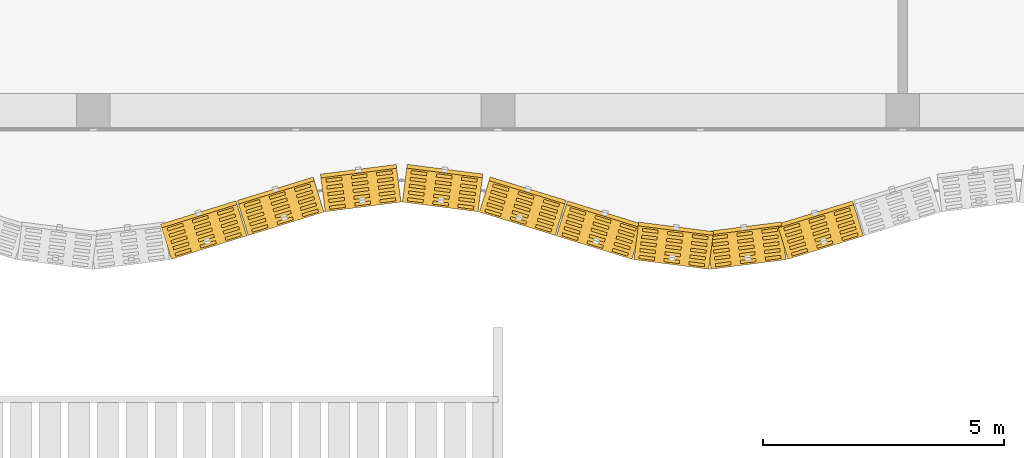
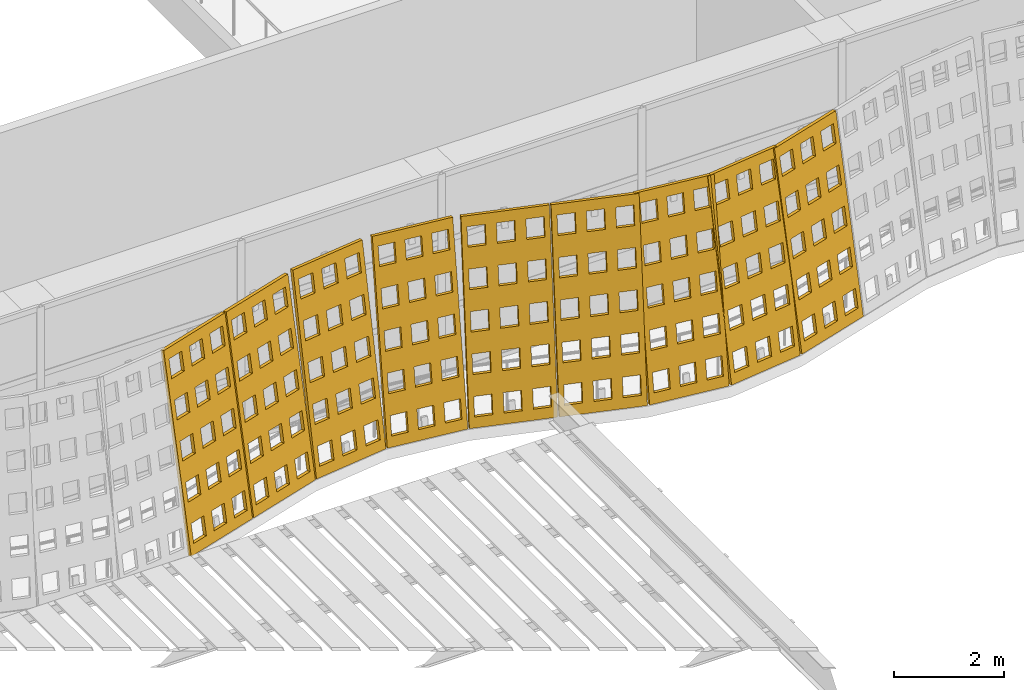
# One storey, part 144 of 162: 9 coverings.
"""IFC4 building model written with IfcOpenShell, lengths in metres."""

from ifc_helpers import new_model, si_unit, direction, frame, origin, place, context, subcontext, project, spatial, polyline, outline, extrude, material, layer, layer_set, type_object, element, save


model = new_model("IFC4")

# Units and contexts
model_context = context("Model", 3, precision=1e-05, world=origin(), true_north=direction((0.0, 1.0)))
body_context = subcontext(model_context, "Body", "Model", "MODEL_VIEW")
ifc_project = project(units=[si_unit("LENGTHUNIT", "METRE"), si_unit("AREAUNIT", "SQUARE_METRE"), si_unit("VOLUMEUNIT", "CUBIC_METRE"), si_unit("PLANEANGLEUNIT", "RADIAN"), si_unit("MASSUNIT", "GRAM", prefix="KILO")], contexts=[model_context])

# Site, building, storey
site_placement = place(None, origin())
site = spatial("IfcSite", under=ifc_project, at=site_placement, CompositionType="ELEMENT")
building_placement = place(site_placement, origin())
building = spatial("IfcBuilding", under=site, at=building_placement, Name="Rain Tree Exposition and Congress Centre", CompositionType="ELEMENT")
storey_placement = place(building_placement, frame((0.0, 0.0, 6.0)))
storey = spatial("IfcBuildingStorey", under=building, at=storey_placement, Name="L01", CompositionType="ELEMENT", Elevation=6.0)

# Coverings
ifc_material = material(Name="Perforated terracotta", Category="masonry")
ifc_layer = layer(ifc_material, 0.080078125)
ifc_layer_set = layer_set([ifc_layer], Name="Perforated terracotta")
covering_type = type_object("IfcCoveringType", Name="Terracotta screen 80", PredefinedType="CLADDING", material=ifc_layer_set)
covering_1_placement = place(storey_placement, frame((135.99951171875, 72.506591796875, 0.0126953125), z_axis=(-0.292932171154, 0.942875425902, -0.158671592708), x_axis=(-0.954973588716, -0.296690823679, 0.0)))
element("IfcCovering", 1, at=covering_1_placement, inside=storey, type_object=covering_type, Name="concourse/screen/L01/086", PredefinedType="CLADDING", context=body_context, shape_type="SweptSolid", body=[
    extrude(outline(polyline([(-1.659912109375, 0.0), (-1.659912109375, 4.29150390625), (-0.02197265625, 4.29150390625), (-0.02197265625, 0.0), (-1.659912109375, 0.0)]), holes=[polyline([(-0.125732421875, 0.221435546875), (-0.125732421875, 0.63671875), (-0.464111328125, 0.63671875), (-0.464111328125, 0.221435546875), (-0.125732421875, 0.221435546875)]), polyline([(-0.125732421875, 1.079833984375), (-0.125732421875, 1.4951171875), (-0.464111328125, 1.4951171875), (-0.464111328125, 1.079833984375), (-0.125732421875, 1.079833984375)]), polyline([(-0.125732421875, 1.93798828125), (-0.125732421875, 2.353271484375), (-0.464111328125, 2.353271484375), (-0.464111328125, 1.93798828125), (-0.125732421875, 1.93798828125)]), polyline([(-0.125732421875, 2.79638671875), (-0.125732421875, 3.211669921875), (-0.464111328125, 3.211669921875), (-0.464111328125, 2.79638671875), (-0.125732421875, 2.79638671875)]), polyline([(-0.125732421875, 3.654541015625), (-0.125732421875, 4.06982421875), (-0.464111328125, 4.06982421875), (-0.464111328125, 3.654541015625), (-0.125732421875, 3.654541015625)]), polyline([(-0.671630859375, 0.221435546875), (-0.671630859375, 0.63671875), (-1.010009765625, 0.63671875), (-1.010009765625, 0.221435546875), (-0.671630859375, 0.221435546875)]), polyline([(-0.671630859375, 1.079833984375), (-0.671630859375, 1.4951171875), (-1.010009765625, 1.4951171875), (-1.010009765625, 1.079833984375), (-0.671630859375, 1.079833984375)]), polyline([(-0.671630859375, 1.93798828125), (-0.671630859375, 2.353271484375), (-1.010009765625, 2.353271484375), (-1.010009765625, 1.93798828125), (-0.671630859375, 1.93798828125)]), polyline([(-0.671630859375, 2.79638671875), (-0.671630859375, 3.211669921875), (-1.010009765625, 3.211669921875), (-1.010009765625, 2.79638671875), (-0.671630859375, 2.79638671875)]), polyline([(-0.671630859375, 3.654541015625), (-0.671630859375, 4.06982421875), (-1.010009765625, 4.06982421875), (-1.010009765625, 3.654541015625), (-0.671630859375, 3.654541015625)]), polyline([(-1.217529296875, 0.221435546875), (-1.217529296875, 0.63671875), (-1.55615234375, 0.63671875), (-1.55615234375, 0.221435546875), (-1.217529296875, 0.221435546875)]), polyline([(-1.217529296875, 1.079833984375), (-1.217529296875, 1.4951171875), (-1.55615234375, 1.4951171875), (-1.55615234375, 1.079833984375), (-1.217529296875, 1.079833984375)]), polyline([(-1.217529296875, 1.93798828125), (-1.217529296875, 2.353271484375), (-1.55615234375, 2.353271484375), (-1.55615234375, 1.93798828125), (-1.217529296875, 1.93798828125)]), polyline([(-1.217529296875, 2.79638671875), (-1.217529296875, 3.211669921875), (-1.55615234375, 3.211669921875), (-1.55615234375, 2.79638671875), (-1.217529296875, 2.79638671875)]), polyline([(-1.217529296875, 3.654541015625), (-1.217529296875, 4.06982421875), (-1.55615234375, 4.06982421875), (-1.55615234375, 3.654541015625), (-1.217529296875, 3.654541015625)])]), origin(), (0.0, 0.0, 1.0), 0.080078125),
])
covering_2_placement = place(storey_placement, frame((137.599365234375, 73.001708984375, 0.0126953125), z_axis=(-0.290138898064, 0.943714942124, -0.158812870519), x_axis=(-0.955845867297, -0.293868470528, 0.0)))
element("IfcCovering", 2, at=covering_2_placement, inside=storey, type_object=covering_type, Name="concourse/screen/L01/087", PredefinedType="CLADDING", context=body_context, shape_type="SweptSolid", body=[
    extrude(outline(polyline([(-1.659912109375, 0.0), (-1.659912109375, 4.29150390625), (-0.014892578125, 4.29150390625), (-0.014892578125, 0.0), (-1.659912109375, 0.0)]), holes=[polyline([(-0.119140625, 0.221435546875), (-0.119140625, 0.63671875), (-0.458984375, 0.63671875), (-0.458984375, 0.221435546875), (-0.119140625, 0.221435546875)]), polyline([(-0.119140625, 1.079833984375), (-0.119140625, 1.4951171875), (-0.458984375, 1.4951171875), (-0.458984375, 1.079833984375), (-0.119140625, 1.079833984375)]), polyline([(-0.119140625, 1.93798828125), (-0.119140625, 2.353271484375), (-0.458984375, 2.353271484375), (-0.458984375, 1.93798828125), (-0.119140625, 1.93798828125)]), polyline([(-0.119140625, 2.79638671875), (-0.119140625, 3.211669921875), (-0.458984375, 3.211669921875), (-0.458984375, 2.79638671875), (-0.119140625, 2.79638671875)]), polyline([(-0.119140625, 3.654541015625), (-0.119140625, 4.06982421875), (-0.458984375, 4.06982421875), (-0.458984375, 3.654541015625), (-0.119140625, 3.654541015625)]), polyline([(-0.66748046875, 0.221435546875), (-0.66748046875, 0.63671875), (-1.00732421875, 0.63671875), (-1.00732421875, 0.221435546875), (-0.66748046875, 0.221435546875)]), polyline([(-0.66748046875, 1.079833984375), (-0.66748046875, 1.4951171875), (-1.00732421875, 1.4951171875), (-1.00732421875, 1.079833984375), (-0.66748046875, 1.079833984375)]), polyline([(-0.66748046875, 1.93798828125), (-0.66748046875, 2.353271484375), (-1.00732421875, 2.353271484375), (-1.00732421875, 1.93798828125), (-0.66748046875, 1.93798828125)]), polyline([(-0.66748046875, 2.79638671875), (-0.66748046875, 3.211669921875), (-1.00732421875, 3.211669921875), (-1.00732421875, 2.79638671875), (-0.66748046875, 2.79638671875)]), polyline([(-0.66748046875, 3.654541015625), (-0.66748046875, 4.06982421875), (-1.00732421875, 4.06982421875), (-1.00732421875, 3.654541015625), (-0.66748046875, 3.654541015625)]), polyline([(-1.2158203125, 0.221435546875), (-1.2158203125, 0.63671875), (-1.5556640625, 0.63671875), (-1.5556640625, 0.221435546875), (-1.2158203125, 0.221435546875)]), polyline([(-1.2158203125, 1.079833984375), (-1.2158203125, 1.4951171875), (-1.5556640625, 1.4951171875), (-1.5556640625, 1.079833984375), (-1.2158203125, 1.079833984375)]), polyline([(-1.2158203125, 1.93798828125), (-1.2158203125, 2.353271484375), (-1.5556640625, 2.353271484375), (-1.5556640625, 1.93798828125), (-1.2158203125, 1.93798828125)]), polyline([(-1.2158203125, 2.79638671875), (-1.2158203125, 3.211669921875), (-1.5556640625, 3.211669921875), (-1.5556640625, 2.79638671875), (-1.2158203125, 2.79638671875)]), polyline([(-1.2158203125, 3.654541015625), (-1.2158203125, 4.06982421875), (-1.5556640625, 4.06982421875), (-1.5556640625, 3.654541015625), (-1.2158203125, 3.654541015625)])]), origin(), (0.0, 0.0, 1.0), 0.079833984375),
])
covering_3_placement = place(storey_placement, frame((139.19970703125, 73.496826171875, 0.01318359375), z_axis=(-0.124968640969, 0.978413018317, -0.164592844203), x_axis=(-0.991941518713, -0.126696580272, 0.0)))
element("IfcCovering", 3, at=covering_3_placement, inside=storey, type_object=covering_type, Name="concourse/screen/L01/088", PredefinedType="CLADDING", context=body_context, shape_type="SweptSolid", body=[
    extrude(outline(polyline([(-1.59814453125, 0.0), (-1.59814453125, 4.295166015625), (-0.014892578125, 4.295166015625), (-0.014892578125, 0.0), (-1.59814453125, 0.0)]), holes=[polyline([(-0.115234375, 0.2216796875), (-0.115234375, 0.63720703125), (-0.4423828125, 0.63720703125), (-0.4423828125, 0.2216796875), (-0.115234375, 0.2216796875)]), polyline([(-0.115234375, 1.080810546875), (-0.115234375, 1.496337890625), (-0.4423828125, 1.496337890625), (-0.4423828125, 1.080810546875), (-0.115234375, 1.080810546875)]), polyline([(-0.115234375, 1.939697265625), (-0.115234375, 2.35546875), (-0.4423828125, 2.35546875), (-0.4423828125, 1.939697265625), (-0.115234375, 1.939697265625)]), polyline([(-0.115234375, 2.798583984375), (-0.115234375, 3.21435546875), (-0.4423828125, 3.21435546875), (-0.4423828125, 2.798583984375), (-0.115234375, 2.798583984375)]), polyline([(-0.115234375, 3.65771484375), (-0.115234375, 4.073486328125), (-0.4423828125, 4.073486328125), (-0.4423828125, 3.65771484375), (-0.115234375, 3.65771484375)]), polyline([(-0.64306640625, 0.2216796875), (-0.64306640625, 0.63720703125), (-0.97021484375, 0.63720703125), (-0.97021484375, 0.2216796875), (-0.64306640625, 0.2216796875)]), polyline([(-0.64306640625, 1.080810546875), (-0.64306640625, 1.496337890625), (-0.97021484375, 1.496337890625), (-0.97021484375, 1.080810546875), (-0.64306640625, 1.080810546875)]), polyline([(-0.64306640625, 1.939697265625), (-0.64306640625, 2.35546875), (-0.97021484375, 2.35546875), (-0.97021484375, 1.939697265625), (-0.64306640625, 1.939697265625)]), polyline([(-0.64306640625, 2.798583984375), (-0.64306640625, 3.21435546875), (-0.97021484375, 3.21435546875), (-0.97021484375, 2.798583984375), (-0.64306640625, 2.798583984375)]), polyline([(-0.64306640625, 3.65771484375), (-0.64306640625, 4.073486328125), (-0.97021484375, 4.073486328125), (-0.97021484375, 3.65771484375), (-0.64306640625, 3.65771484375)]), polyline([(-1.170654296875, 0.2216796875), (-1.170654296875, 0.63720703125), (-1.497802734375, 0.63720703125), (-1.497802734375, 0.2216796875), (-1.170654296875, 0.2216796875)]), polyline([(-1.170654296875, 1.080810546875), (-1.170654296875, 1.496337890625), (-1.497802734375, 1.496337890625), (-1.497802734375, 1.080810546875), (-1.170654296875, 1.080810546875)]), polyline([(-1.170654296875, 1.939697265625), (-1.170654296875, 2.35546875), (-1.497802734375, 2.35546875), (-1.497802734375, 1.939697265625), (-1.170654296875, 1.939697265625)]), polyline([(-1.170654296875, 2.798583984375), (-1.170654296875, 3.21435546875), (-1.497802734375, 3.21435546875), (-1.497802734375, 2.798583984375), (-1.170654296875, 2.798583984375)]), polyline([(-1.170654296875, 3.65771484375), (-1.170654296875, 4.073486328125), (-1.497802734375, 4.073486328125), (-1.497802734375, 3.65771484375), (-1.170654296875, 3.65771484375)])]), origin(), (0.0, 0.0, 1.0), 0.080078125),
])
covering_4_placement = place(storey_placement, frame((140.80029296875, 73.701904296875, 0.01318359375), z_axis=(0.125342414455, 0.978282259159, -0.165085131233), x_axis=(-0.991891686382, 0.127086122318, 0.0)))
element("IfcCovering", 4, at=covering_4_placement, inside=storey, type_object=covering_type, Name="concourse/screen/L01/089", PredefinedType="CLADDING", context=body_context, shape_type="SweptSolid", body=[
    extrude(outline(polyline([(-1.59814453125, 0.0), (-1.59814453125, 4.295166015625), (-0.014892578125, 4.295166015625), (-0.014892578125, 0.0), (-1.59814453125, 0.0)]), holes=[polyline([(-0.115234375, 0.2216796875), (-0.115234375, 0.63720703125), (-0.4423828125, 0.63720703125), (-0.4423828125, 0.2216796875), (-0.115234375, 0.2216796875)]), polyline([(-0.115234375, 1.080810546875), (-0.115234375, 1.496337890625), (-0.4423828125, 1.496337890625), (-0.4423828125, 1.080810546875), (-0.115234375, 1.080810546875)]), polyline([(-0.115234375, 1.939697265625), (-0.115234375, 2.35546875), (-0.4423828125, 2.35546875), (-0.4423828125, 1.939697265625), (-0.115234375, 1.939697265625)]), polyline([(-0.115234375, 2.798583984375), (-0.115234375, 3.21435546875), (-0.4423828125, 3.21435546875), (-0.4423828125, 2.798583984375), (-0.115234375, 2.798583984375)]), polyline([(-0.115234375, 3.65771484375), (-0.115234375, 4.073486328125), (-0.4423828125, 4.073486328125), (-0.4423828125, 3.65771484375), (-0.115234375, 3.65771484375)]), polyline([(-0.64306640625, 0.2216796875), (-0.64306640625, 0.63720703125), (-0.97021484375, 0.63720703125), (-0.97021484375, 0.2216796875), (-0.64306640625, 0.2216796875)]), polyline([(-0.64306640625, 1.080810546875), (-0.64306640625, 1.496337890625), (-0.97021484375, 1.496337890625), (-0.97021484375, 1.080810546875), (-0.64306640625, 1.080810546875)]), polyline([(-0.64306640625, 1.939697265625), (-0.64306640625, 2.35546875), (-0.97021484375, 2.35546875), (-0.97021484375, 1.939697265625), (-0.64306640625, 1.939697265625)]), polyline([(-0.64306640625, 2.798583984375), (-0.64306640625, 3.21435546875), (-0.97021484375, 3.21435546875), (-0.97021484375, 2.798583984375), (-0.64306640625, 2.798583984375)]), polyline([(-0.64306640625, 3.65771484375), (-0.64306640625, 4.073486328125), (-0.97021484375, 4.073486328125), (-0.97021484375, 3.65771484375), (-0.64306640625, 3.65771484375)]), polyline([(-1.170654296875, 0.2216796875), (-1.170654296875, 0.63720703125), (-1.497802734375, 0.63720703125), (-1.497802734375, 0.2216796875), (-1.170654296875, 0.2216796875)]), polyline([(-1.170654296875, 1.080810546875), (-1.170654296875, 1.496337890625), (-1.497802734375, 1.496337890625), (-1.497802734375, 1.080810546875), (-1.170654296875, 1.080810546875)]), polyline([(-1.170654296875, 1.939697265625), (-1.170654296875, 2.35546875), (-1.497802734375, 2.35546875), (-1.497802734375, 1.939697265625), (-1.170654296875, 1.939697265625)]), polyline([(-1.170654296875, 2.798583984375), (-1.170654296875, 3.21435546875), (-1.497802734375, 3.21435546875), (-1.497802734375, 2.798583984375), (-1.170654296875, 2.798583984375)]), polyline([(-1.170654296875, 3.65771484375), (-1.170654296875, 4.073486328125), (-1.497802734375, 4.073486328125), (-1.497802734375, 3.65771484375), (-1.170654296875, 3.65771484375)])]), origin(), (0.0, 0.0, 1.0), 0.079833984375),
])
covering_5_placement = place(storey_placement, frame((142.400634765625, 73.49658203125, 0.0126953125), z_axis=(0.290138898064, 0.943714942124, -0.158812870519), x_axis=(-0.955845867297, 0.293868470528, 0.0)))
element("IfcCovering", 5, at=covering_5_placement, inside=storey, type_object=covering_type, Name="concourse/screen/L01/090", PredefinedType="CLADDING", context=body_context, shape_type="SweptSolid", body=[
    extrude(outline(polyline([(-1.659912109375, 0.0), (-1.659912109375, 4.29150390625), (-0.014892578125, 4.29150390625), (-0.014892578125, 0.0), (-1.659912109375, 0.0)]), holes=[polyline([(-0.119140625, 0.221435546875), (-0.119140625, 0.63671875), (-0.458984375, 0.63671875), (-0.458984375, 0.221435546875), (-0.119140625, 0.221435546875)]), polyline([(-0.119140625, 1.079833984375), (-0.119140625, 1.4951171875), (-0.458984375, 1.4951171875), (-0.458984375, 1.079833984375), (-0.119140625, 1.079833984375)]), polyline([(-0.119140625, 1.93798828125), (-0.119140625, 2.353271484375), (-0.458984375, 2.353271484375), (-0.458984375, 1.93798828125), (-0.119140625, 1.93798828125)]), polyline([(-0.119140625, 2.79638671875), (-0.119140625, 3.211669921875), (-0.458984375, 3.211669921875), (-0.458984375, 2.79638671875), (-0.119140625, 2.79638671875)]), polyline([(-0.119140625, 3.654541015625), (-0.119140625, 4.06982421875), (-0.458984375, 4.06982421875), (-0.458984375, 3.654541015625), (-0.119140625, 3.654541015625)]), polyline([(-0.66748046875, 0.221435546875), (-0.66748046875, 0.63671875), (-1.00732421875, 0.63671875), (-1.00732421875, 0.221435546875), (-0.66748046875, 0.221435546875)]), polyline([(-0.66748046875, 1.079833984375), (-0.66748046875, 1.4951171875), (-1.00732421875, 1.4951171875), (-1.00732421875, 1.079833984375), (-0.66748046875, 1.079833984375)]), polyline([(-0.66748046875, 1.93798828125), (-0.66748046875, 2.353271484375), (-1.00732421875, 2.353271484375), (-1.00732421875, 1.93798828125), (-0.66748046875, 1.93798828125)]), polyline([(-0.66748046875, 2.79638671875), (-0.66748046875, 3.211669921875), (-1.00732421875, 3.211669921875), (-1.00732421875, 2.79638671875), (-0.66748046875, 2.79638671875)]), polyline([(-0.66748046875, 3.654541015625), (-0.66748046875, 4.06982421875), (-1.00732421875, 4.06982421875), (-1.00732421875, 3.654541015625), (-0.66748046875, 3.654541015625)]), polyline([(-1.2158203125, 0.221435546875), (-1.2158203125, 0.63671875), (-1.5556640625, 0.63671875), (-1.5556640625, 0.221435546875), (-1.2158203125, 0.221435546875)]), polyline([(-1.2158203125, 1.079833984375), (-1.2158203125, 1.4951171875), (-1.5556640625, 1.4951171875), (-1.5556640625, 1.079833984375), (-1.2158203125, 1.079833984375)]), polyline([(-1.2158203125, 1.93798828125), (-1.2158203125, 2.353271484375), (-1.5556640625, 2.353271484375), (-1.5556640625, 1.93798828125), (-1.2158203125, 1.93798828125)]), polyline([(-1.2158203125, 2.79638671875), (-1.2158203125, 3.211669921875), (-1.5556640625, 3.211669921875), (-1.5556640625, 2.79638671875), (-1.2158203125, 2.79638671875)]), polyline([(-1.2158203125, 3.654541015625), (-1.2158203125, 4.06982421875), (-1.5556640625, 4.06982421875), (-1.5556640625, 3.654541015625), (-1.2158203125, 3.654541015625)])]), origin(), (0.0, 0.0, 1.0), 0.079833984375),
])
covering_6_placement = place(storey_placement, frame((144.00048828125, 73.001708984375, 0.0126953125), z_axis=(0.292932171154, 0.942875425902, -0.158671592708), x_axis=(-0.954973588716, 0.296690823679, 0.0)))
element("IfcCovering", 6, at=covering_6_placement, inside=storey, type_object=covering_type, Name="concourse/screen/L01/091", PredefinedType="CLADDING", context=body_context, shape_type="SweptSolid", body=[
    extrude(outline(polyline([(-1.65283203125, 0.0), (-1.65283203125, 4.29150390625), (-0.014892578125, 4.29150390625), (-0.014892578125, 0.0), (-1.65283203125, 0.0)]), holes=[polyline([(-0.11865234375, 0.221435546875), (-0.11865234375, 0.63671875), (-0.457275390625, 0.63671875), (-0.457275390625, 0.221435546875), (-0.11865234375, 0.221435546875)]), polyline([(-0.11865234375, 1.079833984375), (-0.11865234375, 1.4951171875), (-0.457275390625, 1.4951171875), (-0.457275390625, 1.079833984375), (-0.11865234375, 1.079833984375)]), polyline([(-0.11865234375, 1.93798828125), (-0.11865234375, 2.353271484375), (-0.457275390625, 2.353271484375), (-0.457275390625, 1.93798828125), (-0.11865234375, 1.93798828125)]), polyline([(-0.11865234375, 2.79638671875), (-0.11865234375, 3.211669921875), (-0.457275390625, 3.211669921875), (-0.457275390625, 2.79638671875), (-0.11865234375, 2.79638671875)]), polyline([(-0.11865234375, 3.654541015625), (-0.11865234375, 4.06982421875), (-0.457275390625, 4.06982421875), (-0.457275390625, 3.654541015625), (-0.11865234375, 3.654541015625)]), polyline([(-0.664794921875, 0.221435546875), (-0.664794921875, 0.63671875), (-1.003173828125, 0.63671875), (-1.003173828125, 0.221435546875), (-0.664794921875, 0.221435546875)]), polyline([(-0.664794921875, 1.079833984375), (-0.664794921875, 1.4951171875), (-1.003173828125, 1.4951171875), (-1.003173828125, 1.079833984375), (-0.664794921875, 1.079833984375)]), polyline([(-0.664794921875, 1.93798828125), (-0.664794921875, 2.353271484375), (-1.003173828125, 2.353271484375), (-1.003173828125, 1.93798828125), (-0.664794921875, 1.93798828125)]), polyline([(-0.664794921875, 2.79638671875), (-0.664794921875, 3.211669921875), (-1.003173828125, 3.211669921875), (-1.003173828125, 2.79638671875), (-0.664794921875, 2.79638671875)]), polyline([(-0.664794921875, 3.654541015625), (-0.664794921875, 4.06982421875), (-1.003173828125, 4.06982421875), (-1.003173828125, 3.654541015625), (-0.664794921875, 3.654541015625)]), polyline([(-1.210693359375, 0.221435546875), (-1.210693359375, 0.63671875), (-1.54931640625, 0.63671875), (-1.54931640625, 0.221435546875), (-1.210693359375, 0.221435546875)]), polyline([(-1.210693359375, 1.079833984375), (-1.210693359375, 1.4951171875), (-1.54931640625, 1.4951171875), (-1.54931640625, 1.079833984375), (-1.210693359375, 1.079833984375)]), polyline([(-1.210693359375, 1.93798828125), (-1.210693359375, 2.353271484375), (-1.54931640625, 2.353271484375), (-1.54931640625, 1.93798828125), (-1.210693359375, 1.93798828125)]), polyline([(-1.210693359375, 2.79638671875), (-1.210693359375, 3.211669921875), (-1.54931640625, 3.211669921875), (-1.54931640625, 2.79638671875), (-1.210693359375, 2.79638671875)]), polyline([(-1.210693359375, 3.654541015625), (-1.210693359375, 4.06982421875), (-1.54931640625, 4.06982421875), (-1.54931640625, 3.654541015625), (-1.210693359375, 3.654541015625)])]), origin(), (0.0, 0.0, 1.0), 0.080078125),
])
covering_7_placement = place(storey_placement, frame((145.600341796875, 72.5068359375, 0.01318359375), z_axis=(0.124968640969, 0.978413018317, -0.164592844203), x_axis=(-0.991941518713, 0.126696580272, 0.0)))
element("IfcCovering", 7, at=covering_7_placement, inside=storey, type_object=covering_type, Name="concourse/screen/L01/092", PredefinedType="CLADDING", context=body_context, shape_type="SweptSolid", body=[
    extrude(outline(polyline([(-1.587890625, 0.0), (-1.587890625, 4.295166015625), (-0.02197265625, 4.295166015625), (-0.02197265625, 0.0), (-1.587890625, 0.0)]), holes=[polyline([(-0.12109375, 0.2216796875), (-0.12109375, 0.63720703125), (-0.444580078125, 0.63720703125), (-0.444580078125, 0.2216796875), (-0.12109375, 0.2216796875)]), polyline([(-0.12109375, 1.080810546875), (-0.12109375, 1.496337890625), (-0.444580078125, 1.496337890625), (-0.444580078125, 1.080810546875), (-0.12109375, 1.080810546875)]), polyline([(-0.12109375, 1.939697265625), (-0.12109375, 2.35546875), (-0.444580078125, 2.35546875), (-0.444580078125, 1.939697265625), (-0.12109375, 1.939697265625)]), polyline([(-0.12109375, 2.798583984375), (-0.12109375, 3.21435546875), (-0.444580078125, 3.21435546875), (-0.444580078125, 2.798583984375), (-0.12109375, 2.798583984375)]), polyline([(-0.12109375, 3.65771484375), (-0.12109375, 4.073486328125), (-0.444580078125, 4.073486328125), (-0.444580078125, 3.65771484375), (-0.12109375, 3.65771484375)]), polyline([(-0.64306640625, 0.2216796875), (-0.64306640625, 0.63720703125), (-0.966796875, 0.63720703125), (-0.966796875, 0.2216796875), (-0.64306640625, 0.2216796875)]), polyline([(-0.64306640625, 1.080810546875), (-0.64306640625, 1.496337890625), (-0.966796875, 1.496337890625), (-0.966796875, 1.080810546875), (-0.64306640625, 1.080810546875)]), polyline([(-0.64306640625, 1.939697265625), (-0.64306640625, 2.35546875), (-0.966796875, 2.35546875), (-0.966796875, 1.939697265625), (-0.64306640625, 1.939697265625)]), polyline([(-0.64306640625, 2.798583984375), (-0.64306640625, 3.21435546875), (-0.966796875, 3.21435546875), (-0.966796875, 2.798583984375), (-0.64306640625, 2.798583984375)]), polyline([(-0.64306640625, 3.65771484375), (-0.64306640625, 4.073486328125), (-0.966796875, 4.073486328125), (-0.966796875, 3.65771484375), (-0.64306640625, 3.65771484375)]), polyline([(-1.1650390625, 0.2216796875), (-1.1650390625, 0.63720703125), (-1.48876953125, 0.63720703125), (-1.48876953125, 0.2216796875), (-1.1650390625, 0.2216796875)]), polyline([(-1.1650390625, 1.080810546875), (-1.1650390625, 1.496337890625), (-1.48876953125, 1.496337890625), (-1.48876953125, 1.080810546875), (-1.1650390625, 1.080810546875)]), polyline([(-1.1650390625, 1.939697265625), (-1.1650390625, 2.35546875), (-1.48876953125, 2.35546875), (-1.48876953125, 1.939697265625), (-1.1650390625, 1.939697265625)]), polyline([(-1.1650390625, 2.798583984375), (-1.1650390625, 3.21435546875), (-1.48876953125, 3.21435546875), (-1.48876953125, 2.798583984375), (-1.1650390625, 2.798583984375)]), polyline([(-1.1650390625, 3.65771484375), (-1.1650390625, 4.073486328125), (-1.48876953125, 4.073486328125), (-1.48876953125, 3.65771484375), (-1.1650390625, 3.65771484375)])]), origin(), (0.0, 0.0, 1.0), 0.080078125),
])
covering_8_placement = place(storey_placement, frame((147.19970703125, 72.302001953125, 0.01318359375), z_axis=(-0.125342414455, 0.978282259159, -0.165085131233), x_axis=(-0.991891686382, -0.127086122318, 0.0)))
element("IfcCovering", 8, at=covering_8_placement, inside=storey, type_object=covering_type, Name="concourse/screen/L01/093", PredefinedType="CLADDING", context=body_context, shape_type="SweptSolid", body=[
    extrude(outline(polyline([(-1.59130859375, 0.0), (-1.59130859375, 4.295166015625), (-0.025146484375, 4.295166015625), (-0.025146484375, 0.0), (-1.59130859375, 0.0)]), holes=[polyline([(-0.12451171875, 0.2216796875), (-0.12451171875, 0.63720703125), (-0.447998046875, 0.63720703125), (-0.447998046875, 0.2216796875), (-0.12451171875, 0.2216796875)]), polyline([(-0.12451171875, 1.080810546875), (-0.12451171875, 1.496337890625), (-0.447998046875, 1.496337890625), (-0.447998046875, 1.080810546875), (-0.12451171875, 1.080810546875)]), polyline([(-0.12451171875, 1.939697265625), (-0.12451171875, 2.35546875), (-0.447998046875, 2.35546875), (-0.447998046875, 1.939697265625), (-0.12451171875, 1.939697265625)]), polyline([(-0.12451171875, 2.798583984375), (-0.12451171875, 3.21435546875), (-0.447998046875, 3.21435546875), (-0.447998046875, 2.798583984375), (-0.12451171875, 2.798583984375)]), polyline([(-0.12451171875, 3.65771484375), (-0.12451171875, 4.073486328125), (-0.447998046875, 4.073486328125), (-0.447998046875, 3.65771484375), (-0.12451171875, 3.65771484375)]), polyline([(-0.646484375, 0.2216796875), (-0.646484375, 0.63720703125), (-0.969970703125, 0.63720703125), (-0.969970703125, 0.2216796875), (-0.646484375, 0.2216796875)]), polyline([(-0.646484375, 1.080810546875), (-0.646484375, 1.496337890625), (-0.969970703125, 1.496337890625), (-0.969970703125, 1.080810546875), (-0.646484375, 1.080810546875)]), polyline([(-0.646484375, 1.939697265625), (-0.646484375, 2.35546875), (-0.969970703125, 2.35546875), (-0.969970703125, 1.939697265625), (-0.646484375, 1.939697265625)]), polyline([(-0.646484375, 2.798583984375), (-0.646484375, 3.21435546875), (-0.969970703125, 3.21435546875), (-0.969970703125, 2.798583984375), (-0.646484375, 2.798583984375)]), polyline([(-0.646484375, 3.65771484375), (-0.646484375, 4.073486328125), (-0.969970703125, 4.073486328125), (-0.969970703125, 3.65771484375), (-0.646484375, 3.65771484375)]), polyline([(-1.16845703125, 0.2216796875), (-1.16845703125, 0.63720703125), (-1.491943359375, 0.63720703125), (-1.491943359375, 0.2216796875), (-1.16845703125, 0.2216796875)]), polyline([(-1.16845703125, 1.080810546875), (-1.16845703125, 1.496337890625), (-1.491943359375, 1.496337890625), (-1.491943359375, 1.080810546875), (-1.16845703125, 1.080810546875)]), polyline([(-1.16845703125, 1.939697265625), (-1.16845703125, 2.35546875), (-1.491943359375, 2.35546875), (-1.491943359375, 1.939697265625), (-1.16845703125, 1.939697265625)]), polyline([(-1.16845703125, 2.798583984375), (-1.16845703125, 3.21435546875), (-1.491943359375, 3.21435546875), (-1.491943359375, 2.798583984375), (-1.16845703125, 2.798583984375)]), polyline([(-1.16845703125, 3.65771484375), (-1.16845703125, 4.073486328125), (-1.491943359375, 4.073486328125), (-1.491943359375, 3.65771484375), (-1.16845703125, 3.65771484375)])]), origin(), (0.0, 0.0, 1.0), 0.079833984375),
])
covering_9_placement = place(storey_placement, frame((148.79931640625, 72.506591796875, 0.0126953125), z_axis=(-0.290138898064, 0.943714942124, -0.158812870519), x_axis=(-0.955845867297, -0.293868470528, 0.0)))
element("IfcCovering", 9, at=covering_9_placement, inside=storey, type_object=covering_type, Name="concourse/screen/L01/094", PredefinedType="CLADDING", context=body_context, shape_type="SweptSolid", body=[
    extrude(outline(polyline([(-1.659912109375, 0.0), (-1.659912109375, 4.29150390625), (-0.02197265625, 4.29150390625), (-0.02197265625, 0.0), (-1.659912109375, 0.0)]), holes=[polyline([(-0.125732421875, 0.221435546875), (-0.125732421875, 0.63671875), (-0.464111328125, 0.63671875), (-0.464111328125, 0.221435546875), (-0.125732421875, 0.221435546875)]), polyline([(-0.125732421875, 1.079833984375), (-0.125732421875, 1.4951171875), (-0.464111328125, 1.4951171875), (-0.464111328125, 1.079833984375), (-0.125732421875, 1.079833984375)]), polyline([(-0.125732421875, 1.93798828125), (-0.125732421875, 2.353271484375), (-0.464111328125, 2.353271484375), (-0.464111328125, 1.93798828125), (-0.125732421875, 1.93798828125)]), polyline([(-0.125732421875, 2.79638671875), (-0.125732421875, 3.211669921875), (-0.464111328125, 3.211669921875), (-0.464111328125, 2.79638671875), (-0.125732421875, 2.79638671875)]), polyline([(-0.125732421875, 3.654541015625), (-0.125732421875, 4.06982421875), (-0.464111328125, 4.06982421875), (-0.464111328125, 3.654541015625), (-0.125732421875, 3.654541015625)]), polyline([(-0.671630859375, 0.221435546875), (-0.671630859375, 0.63671875), (-1.010009765625, 0.63671875), (-1.010009765625, 0.221435546875), (-0.671630859375, 0.221435546875)]), polyline([(-0.671630859375, 1.079833984375), (-0.671630859375, 1.4951171875), (-1.010009765625, 1.4951171875), (-1.010009765625, 1.079833984375), (-0.671630859375, 1.079833984375)]), polyline([(-0.671630859375, 1.93798828125), (-0.671630859375, 2.353271484375), (-1.010009765625, 2.353271484375), (-1.010009765625, 1.93798828125), (-0.671630859375, 1.93798828125)]), polyline([(-0.671630859375, 2.79638671875), (-0.671630859375, 3.211669921875), (-1.010009765625, 3.211669921875), (-1.010009765625, 2.79638671875), (-0.671630859375, 2.79638671875)]), polyline([(-0.671630859375, 3.654541015625), (-0.671630859375, 4.06982421875), (-1.010009765625, 4.06982421875), (-1.010009765625, 3.654541015625), (-0.671630859375, 3.654541015625)]), polyline([(-1.217529296875, 0.221435546875), (-1.217529296875, 0.63671875), (-1.55615234375, 0.63671875), (-1.55615234375, 0.221435546875), (-1.217529296875, 0.221435546875)]), polyline([(-1.217529296875, 1.079833984375), (-1.217529296875, 1.4951171875), (-1.55615234375, 1.4951171875), (-1.55615234375, 1.079833984375), (-1.217529296875, 1.079833984375)]), polyline([(-1.217529296875, 1.93798828125), (-1.217529296875, 2.353271484375), (-1.55615234375, 2.353271484375), (-1.55615234375, 1.93798828125), (-1.217529296875, 1.93798828125)]), polyline([(-1.217529296875, 2.79638671875), (-1.217529296875, 3.211669921875), (-1.55615234375, 3.211669921875), (-1.55615234375, 2.79638671875), (-1.217529296875, 2.79638671875)]), polyline([(-1.217529296875, 3.654541015625), (-1.217529296875, 4.06982421875), (-1.55615234375, 4.06982421875), (-1.55615234375, 3.654541015625), (-1.217529296875, 3.654541015625)])]), origin(), (0.0, 0.0, 1.0), 0.079833984375),
])

save(model, "model.ifc")
